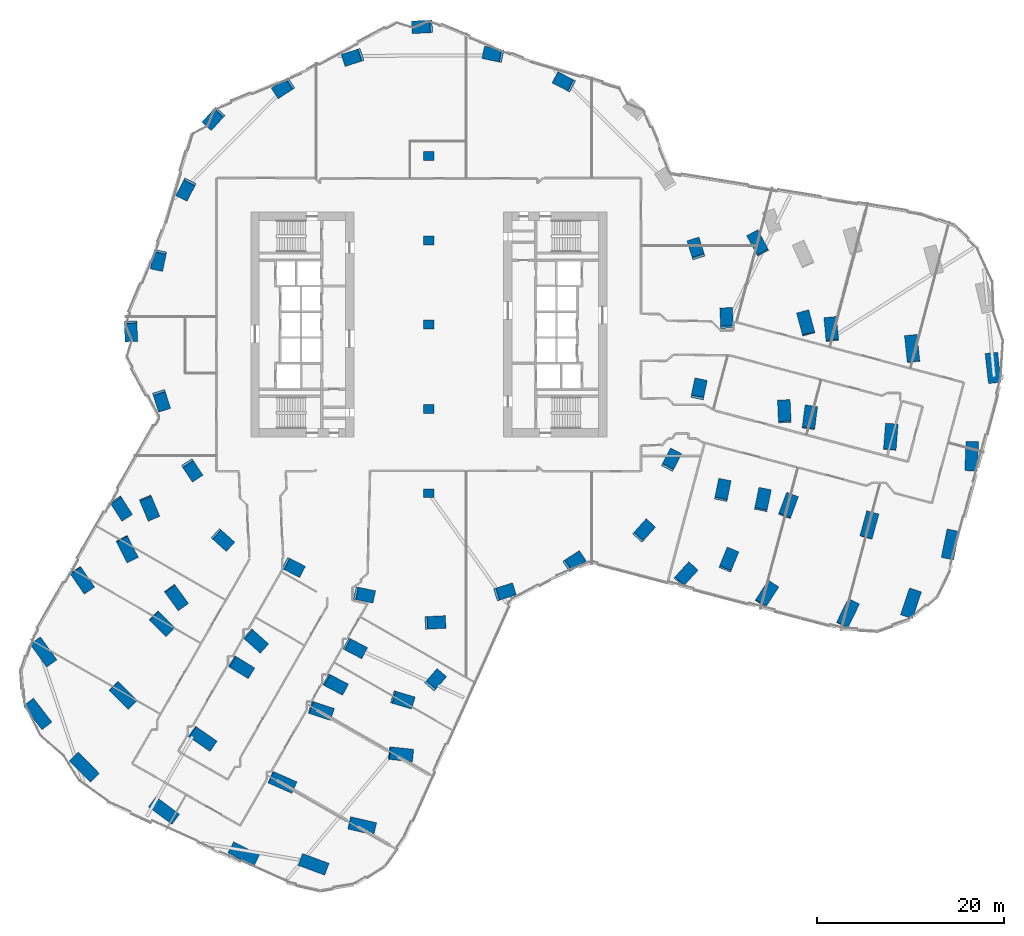
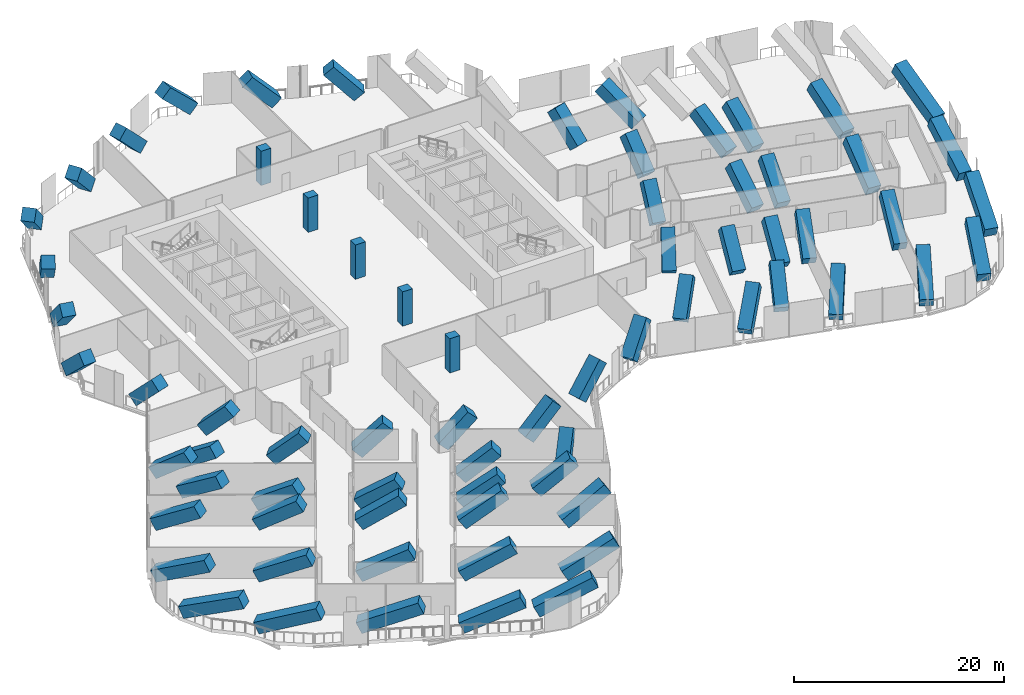
# One storey, part 1 of 37: 70 columns.
"""IFC4 building model written with IfcOpenShell, lengths in metres."""

import ifcopenshell
import ifcopenshell.guid

model = None  # the IFC model being written
_history = None  # IfcOwnerHistory: only IFC2X3 demands one
_inside = {}  # id of a spatial element -> (the spatial element, [elements in it])
_under = {}  # id of a project, library or spatial element -> (it, [spatial elements below it])
_declared = {}  # id of a project -> (the project, [libraries it declares])
_typed = {}  # id of a type object -> (the type object, [elements of that type])
_made_of = {}  # id of a material, layer set ... -> (it, [elements and type objects made of it])


def new_model(schema):
    """Start an empty IFC model of exactly this schema.

    Asked for "IFC4X3", IfcOpenShell would pick the latest addendum, in which some entities
    have other attributes; the version numbers below select the first issue.
    IFC2X3 requires an IfcOwnerHistory on every rooted entity: one is made here for all.
    """
    global model, _history
    if schema == "IFC4X3":
        model = ifcopenshell.file(schema_version=(4, 3, 0, 0))
    else:
        model = ifcopenshell.file(schema=schema)
    _inside.clear()
    _under.clear()
    _declared.clear()
    _typed.clear()
    _made_of.clear()
    _history = None
    if model.schema == "IFC2X3":
        org = make("IfcOrganization", Name="unknown")
        user = make(
            "IfcPersonAndOrganization",
            ThePerson=make("IfcPerson", FamilyName="unknown"),
            TheOrganization=org,
        )
        app = make(
            "IfcApplication",
            ApplicationDeveloper=org,
            Version="unknown",
            ApplicationFullName="unknown",
            ApplicationIdentifier="unknown",
        )
        _history = make(
            "IfcOwnerHistory",
            OwningUser=user,
            OwningApplication=app,
            ChangeAction="ADDED",
            CreationDate=0,
        )
    return model


def make(cls, **values):
    """One entity of the class cls with the attributes given. An attribute that is None is left unset."""
    return model.create_entity(
        cls, **{name: value for name, value in values.items() if value is not None}
    )


def rooted(cls, **values):
    """An entity with a GlobalId (a new one), such as an element, a storey or a relation."""
    return make(cls, GlobalId=ifcopenshell.guid.new(), OwnerHistory=_history, **values)


def si_unit(unit_type, name, prefix=None):
    """IfcSIUnit, for example si_unit("LENGTHUNIT", "METRE", prefix="MILLI")."""
    return make("IfcSIUnit", UnitType=unit_type, Prefix=prefix, Name=name)


def assignment(units):
    """IfcUnitAssignment: the units of a project."""
    return None if units is None else make("IfcUnitAssignment", Units=units)


def point(xyz):
    """IfcCartesianPoint."""
    return None if xyz is None else make("IfcCartesianPoint", Coordinates=xyz)


def direction(xyz):
    """IfcDirection."""
    return None if xyz is None else make("IfcDirection", DirectionRatios=xyz)


def frame(location, z_axis=None, x_axis=None):
    """IfcAxis2Placement3D, a coordinate frame: its origin and axes. An axis left out is left unset."""
    return make(
        "IfcAxis2Placement3D",
        Location=point(location),
        Axis=direction(z_axis),
        RefDirection=direction(x_axis),
    )


def frame_2d(location, x_axis=None):
    """IfcAxis2Placement2D, a coordinate frame in the plane: its origin and x axis."""
    return make(
        "IfcAxis2Placement2D", Location=point(location), RefDirection=direction(x_axis)
    )


def origin():
    """The frame at (0, 0, 0) with its axes left unset."""
    return frame((0.0, 0.0, 0.0))


def origin_2d():
    """The frame at (0, 0) in the plane with its x axis left unset."""
    return frame_2d((0.0, 0.0))


def place(relative_to, where):
    """IfcLocalPlacement: puts the frame where relative to a parent placement (None: the world)."""
    return make(
        "IfcLocalPlacement", PlacementRelTo=relative_to, RelativePlacement=where
    )


def context(
    kind, dimensions, precision=None, world=None, true_north=None, identifier=None
):
    """IfcGeometricRepresentationContext, for example the 3D "Model" context."""
    return make(
        "IfcGeometricRepresentationContext",
        ContextIdentifier=identifier,
        ContextType=kind,
        CoordinateSpaceDimension=dimensions,
        Precision=precision,
        WorldCoordinateSystem=world,
        TrueNorth=true_north,
    )


def subcontext(parent, identifier, kind, view, scale=None):
    """IfcGeometricRepresentationSubContext, for example "Body" below "Model"."""
    return make(
        "IfcGeometricRepresentationSubContext",
        ContextIdentifier=identifier,
        ContextType=kind,
        ParentContext=parent,
        TargetScale=scale,
        TargetView=view,
    )


def project(units=None, contexts=None):
    """IfcProject with its units and contexts."""
    return rooted(
        "IfcProject",
        Name="project",
        RepresentationContexts=contexts,
        UnitsInContext=assignment(units),
    )


def spatial(cls, under=None, at=None, **own):
    """A site, building, storey or space (cls), placed at a placement, below another one or the project."""
    s = rooted(cls, ObjectPlacement=at, **own)
    if under is not None:
        _under.setdefault(under.id(), (under, []))[1].append(s)
    return s


def profile(cls, at=None, kind="AREA", **sizes):
    """A parametric profile (cls). Its sizes go by their IFC names, for example OverallWidth=200.0."""
    return make(cls, ProfileType=kind, Position=at, **sizes)


def rectangle(**sizes):
    """IfcRectangleProfileDef."""
    return profile("IfcRectangleProfileDef", **sizes)


def extrude(swept, where, along, depth):
    """IfcExtrudedAreaSolid: the profile swept, set in the frame where, extruded along a direction by depth."""
    return make(
        "IfcExtrudedAreaSolid",
        SweptArea=swept,
        Position=where,
        ExtrudedDirection=direction(along),
        Depth=depth,
    )


def shape(context_of_items, identifier, shape_type, items):
    """IfcShapeRepresentation: the items that make up one representation, for example the "Body"."""
    return make(
        "IfcShapeRepresentation",
        ContextOfItems=context_of_items,
        RepresentationIdentifier=identifier,
        RepresentationType=shape_type,
        Items=items,
    )


def material(Name=None, Category=None):
    """IfcMaterial."""
    return make("IfcMaterial", Name=Name, Category=Category)


def material_profile(
    of_material, cross_section, Name=None, Category=None, Priority=None
):
    """IfcMaterialProfile: a cross section and its material."""
    return make(
        "IfcMaterialProfile",
        Name=Name,
        Material=of_material,
        Profile=cross_section,
        Priority=Priority,
        Category=Category,
    )


def profile_set(profiles, Name=None, composite=None):
    """IfcMaterialProfileSet."""
    return make(
        "IfcMaterialProfileSet",
        Name=Name,
        MaterialProfiles=profiles,
        CompositeProfile=composite,
    )


def made_of(thing, what):
    """Note that an element or type object is made of a material, layer set ...; save() writes the relation."""
    if what is not None:
        _made_of.setdefault(what.id(), (what, []))[1].append(thing)
    return thing


def type_object(cls, material=None, **own):
    """A type object (cls), such as IfcWallType, which elements share."""
    return made_of(rooted(cls, **own), material)


def element(
    cls,
    number,
    at=None,
    inside=None,
    cuts=None,
    type_object=None,
    material=None,
    context=None,
    identifier="Body",
    shape_type=None,
    held_by="IfcProductDefinitionShape",
    body=None,
    shapes=None,
    **own,
):
    """One element of the class cls, such as IfcWall. Its Tag is "e" and its number.

    at: its placement. inside: the storey or other place that contains it. cuts: it is an
    opening in that element (IfcRelVoidsElement). A single representation is given by context,
    identifier, shape_type and body (its items); several are given by shapes. held_by: the class
    of the entity that holds the representations. save() writes the other relations.
    """
    e = rooted(cls, Tag="e%d" % number, ObjectPlacement=at, **own)
    if body is not None:
        shapes = [shape(context, identifier, shape_type, body)]
    if shapes is not None:
        e.Representation = make(held_by, Representations=shapes)
    if inside is not None:
        _inside.setdefault(inside.id(), (inside, []))[1].append(e)
    if cuts is not None:
        rooted(
            "IfcRelVoidsElement", RelatingBuildingElement=cuts, RelatedOpeningElement=e
        )
    if type_object is not None:
        _typed.setdefault(type_object.id(), (type_object, []))[1].append(e)
    return made_of(e, material)


def aggregate(whole, parts):
    """IfcRelAggregates: a whole, such as a stair, and the parts it consists of."""
    return rooted("IfcRelAggregates", RelatingObject=whole, RelatedObjects=parts)


def save(model, path):
    """Write the relations noted so far, then the file.

    IfcRelAggregates (storeys below a building ...), IfcRelContainedInSpatialStructure (elements
    in a storey), IfcRelDefinesByType, IfcRelAssociatesMaterial and IfcRelDeclares: one each for
    every whole, place, type object, material and project.
    """
    for whole, parts in _under.values():
        aggregate(whole, parts)
    for where, things in _inside.values():
        rooted(
            "IfcRelContainedInSpatialStructure",
            RelatedElements=things,
            RelatingStructure=where,
        )
    for kind, things in _typed.values():
        rooted("IfcRelDefinesByType", RelatedObjects=things, RelatingType=kind)
    for what, things in _made_of.values():
        rooted("IfcRelAssociatesMaterial", RelatedObjects=things, RelatingMaterial=what)
    for by, libraries in _declared.values():
        rooted("IfcRelDeclares", RelatingContext=by, RelatedDefinitions=libraries)
    model.write(path)


model = new_model("IFC4")

# Units and contexts
model_context = context("Model", 3, precision=1e-05, world=origin(), true_north=direction((0.0, 1.0)))
body_context = subcontext(model_context, "Body", "Model", "MODEL_VIEW")
ifc_project = project(units=[si_unit("LENGTHUNIT", "METRE"), si_unit("AREAUNIT", "SQUARE_METRE"), si_unit("VOLUMEUNIT", "CUBIC_METRE"), si_unit("PLANEANGLEUNIT", "RADIAN"), si_unit("MASSUNIT", "GRAM", prefix="KILO")], contexts=[model_context])

# Site, building, storey
site_placement = place(None, origin())
site = spatial("IfcSite", under=ifc_project, at=site_placement, CompositionType="ELEMENT")
building_placement = place(site_placement, origin())
building = spatial("IfcBuilding", under=site, at=building_placement, Name="Orlundy Tower", CompositionType="ELEMENT")
storey_placement = place(building_placement, frame((0.0, 0.0, 119.699951171875)))
storey = spatial("IfcBuildingStorey", under=building, at=storey_placement, Name="L30", CompositionType="ELEMENT", Elevation=119.699951171875)

# Columns
ifc_material_1 = material(Name="Concrete C80/95", Category="concrete")
ifc_material_profile_1 = material_profile(ifc_material_1, rectangle(XDim=1.10009765625, YDim=0.949951171875, at=origin_2d()), Name="RC1100X950")
ifc_profile_set_1 = profile_set([ifc_material_profile_1], Name="Concrete C80/95")
column_type_1 = type_object("IfcColumnType", Name="RC COLUMN RC1100X950 C80/95", PredefinedType="COLUMN", material=ifc_profile_set_1)
for number, where, z_axis, x_axis, name in (
    (1, (0.0, -18.0, 0.0), (0.0, 0.0, 1.0), (1.0, 0.0, 0.0), "Column C-M1 L30"),
    (2, (0.0, -9.0, 0.0), (0.0, 0.0, 1.0), (1.0, 0.0, 0.0), "Column C-M2 L30"),
    (3, (0.0, 0.0, 0.0), (0.0, 0.0, 1.0), (1.0, 0.0, 0.0), "Column C-M3 L30"),
    (4, (0.0, 9.0, 0.0), (0.0, 0.0, 1.0), (1.0, 0.0, 0.0), "Column C-M4 L30"),
    (5, (0.0, 18.0, 0.0), (0.0, 0.0, 1.0), (1.0, 0.0, 0.0), "Column C-M5 L30"),
):
    element("IfcColumn", number, at=place(storey_placement, frame(where, z_axis=z_axis, x_axis=x_axis)), inside=storey, type_object=column_type_1, Name=name, PredefinedType="COLUMN", context=body_context, shape_type="SweptSolid", body=[
        extrude(rectangle(XDim=1.10009765625, YDim=0.949951171875, at=origin_2d()), origin(), (0.0, 0.0, 1.0), 4.0),
    ])
ifc_material_2 = material(Name="Concrete C80/95", Category="concrete")
ifc_material_profile_2 = material_profile(ifc_material_2, rectangle(XDim=1.35009765625, YDim=1.35009765625, at=origin_2d()), Name="RC1350X1350")
ifc_profile_set_2 = profile_set([ifc_material_profile_2], Name="Concrete C80/95")
column_type_2 = type_object("IfcColumnType", Name="RC COLUMN RC1350X1350 C80/95", PredefinedType="COLUMN", material=ifc_profile_set_2)
column_1_placement = place(storey_placement, frame((26.93408203125, -27.201904296875, 0.533447265625), z_axis=(0.533389756548, 0.583307409895, 0.61257475721), x_axis=(-0.737978327444, 0.674824412884, 0.0)))
element("IfcColumn", 6, at=column_1_placement, inside=storey, type_object=column_type_2, Name="Column C-A1-1 L30 strut", PredefinedType="COLUMN", context=body_context, shape_type="SweptSolid", body=[
    extrude(rectangle(XDim=1.35009765625, YDim=1.35009765625, at=origin_2d()), origin(), (0.0, 0.0, 1.0), 4.7880859375),
])
column_2_placement = place(storey_placement, frame((35.60205078125, -29.4970703125, 0.566650390625), z_axis=(0.456860510692, 0.704019870789, 0.543722811094), x_axis=(-0.838853030325, 0.5443579645, 0.0)))
element("IfcColumn", 7, at=column_2_placement, inside=storey, type_object=column_type_2, Name="Column C-A1-2 L30 strut", PredefinedType="COLUMN", context=body_context, shape_type="SweptSolid", body=[
    extrude(rectangle(XDim=1.35009765625, YDim=1.35009765625, at=origin_2d()), origin(), (0.0, 0.0, 1.0), 5.272705078125),
])
column_3_placement = place(storey_placement, frame((44.26904296875, -31.79296875, 0.592529296875), z_axis=(0.385435051293, 0.788769306025, 0.47883483907), x_axis=(-0.898467718032, 0.439039587798, 0.0)))
element("IfcColumn", 8, at=column_3_placement, inside=storey, type_object=column_type_2, Name="Column C-A1-3 L30 strut", PredefinedType="COLUMN", context=body_context, shape_type="SweptSolid", body=[
    extrude(rectangle(XDim=1.35009765625, YDim=1.35009765625, at=origin_2d()), origin(), (0.0, 0.0, 1.0), 5.878662109375),
])
column_4_placement = place(storey_placement, frame((51.0849609375, -30.90087890625, 0.60546875), z_axis=(0.287773476059, 0.849338432906, 0.442504974962), x_axis=(-0.94711260935, 0.320901394841, 0.0)))
element("IfcColumn", 9, at=column_4_placement, inside=storey, type_object=column_type_2, Name="Column C-A1-5 L30 strut", PredefinedType="COLUMN", context=body_context, shape_type="SweptSolid", body=[
    extrude(rectangle(XDim=1.35009765625, YDim=1.35009765625, at=origin_2d()), origin(), (0.0, 0.0, 1.0), 6.303466796875),
])
column_5_placement = place(storey_placement, frame((31.7509765625, -25.781005859375, 0.528076171875), z_axis=(0.296903854869, 0.723687001742, 0.622996969875), x_axis=(-0.925165644997, 0.379563603783, 0.0)))
element("IfcColumn", 10, at=column_5_placement, inside=storey, type_object=column_type_2, Name="Column C-A1-6 L30 strut", PredefinedType="COLUMN", context=body_context, shape_type="SweptSolid", body=[
    extrude(rectangle(XDim=1.35009765625, YDim=1.35009765625, at=origin_2d()), origin(), (0.0, 0.0, 1.0), 4.7255859375),
])
column_6_placement = place(storey_placement, frame((38.0849609375, -20.12109375, 0.55517578125), z_axis=(0.289489509288, 0.769921974579, 0.568696735591), x_axis=(-0.936021546836, 0.351942699681, 0.0)))
element("IfcColumn", 11, at=column_6_placement, inside=storey, type_object=column_type_2, Name="Column C-A2-2 L30 strut", PredefinedType="COLUMN", context=body_context, shape_type="SweptSolid", body=[
    extrude(rectangle(XDim=1.35009765625, YDim=1.35009765625, at=origin_2d()), origin(), (0.0, 0.0, 1.0), 5.0810546875),
])
column_7_placement = place(storey_placement, frame((46.7529296875, -22.416015625, 0.588134765625), z_axis=(0.230570287465, 0.840104405285, 0.490980580837), x_axis=(-0.964339803907, 0.264667229933, 0.0)))
element("IfcColumn", 12, at=column_7_placement, inside=storey, type_object=column_type_2, Name="Column C-A2-3 L30 strut", PredefinedType="COLUMN", context=body_context, shape_type="SweptSolid", body=[
    extrude(rectangle(XDim=1.35009765625, YDim=1.35009765625, at=origin_2d()), origin(), (0.0, 0.0, 1.0), 5.751708984375),
])
column_8_placement = place(storey_placement, frame((55.4208984375, -24.7119140625, 0.610107421875), z_axis=(0.181928790366, 0.885371750556, 0.42780694075), x_axis=(-0.979534245021, 0.201277576574, 0.0)))
element("IfcColumn", 13, at=column_8_placement, inside=storey, type_object=column_type_2, Name="Column C-A2-5 L30 strut", PredefinedType="COLUMN", context=body_context, shape_type="SweptSolid", body=[
    extrude(rectangle(XDim=1.35009765625, YDim=1.35009765625, at=origin_2d()), origin(), (0.0, 0.0, 1.0), 6.497802734375),
])
column_9_placement = place(storey_placement, frame((35.507080078125, -19.43798828125, 0.53662109375), z_axis=(0.157315651757, 0.779291847126, 0.606593770752), x_axis=(-0.98022658552, 0.197878349093, 0.0)))
element("IfcColumn", 14, at=column_9_placement, inside=storey, type_object=column_type_2, Name="Column C-A2-6 L30 strut", PredefinedType="COLUMN", context=body_context, shape_type="SweptSolid", body=[
    extrude(rectangle(XDim=1.35009765625, YDim=1.35009765625, at=origin_2d()), origin(), (0.0, 0.0, 1.0), 4.824951171875),
])
column_10_placement = place(storey_placement, frame((31.25390625, -18.31103515625, 0.50732421875), z_axis=(0.147670935204, 0.73679002234, 0.659798270592), x_axis=(-0.980500509342, 0.196516541745, 0.0)))
element("IfcColumn", 15, at=column_10_placement, inside=storey, type_object=column_type_2, Name="Column C-A2-7 L30 strut", PredefinedType="COLUMN", context=body_context, shape_type="SweptSolid", body=[
    extrude(rectangle(XDim=1.35009765625, YDim=1.35009765625, at=origin_2d()), origin(), (0.0, 0.0, 1.0), 4.52490234375),
])
column_11_placement = place(storey_placement, frame((40.568115234375, -10.743896484375, 0.5537109375), z_axis=(0.105609699253, 0.813296092737, 0.572185334452), x_axis=(-0.991674124322, 0.128772788855, 0.0)))
element("IfcColumn", 16, at=column_11_placement, inside=storey, type_object=column_type_2, Name="Column C-A3-2 L30 strut", PredefinedType="COLUMN", context=body_context, shape_type="SweptSolid", body=[
    extrude(rectangle(XDim=1.35009765625, YDim=1.35009765625, at=origin_2d()), origin(), (0.0, 0.0, 1.0), 5.0556640625),
])
column_12_placement = place(storey_placement, frame((49.236083984375, -13.0390625, 0.589111328125), z_axis=(0.067270096291, 0.870203938653, 0.488077698013), x_axis=(-0.997025384371, 0.077073879619, 0.0)))
element("IfcColumn", 17, at=column_12_placement, inside=storey, type_object=column_type_2, Name="Column C-A3-3 L30 strut", PredefinedType="COLUMN", context=body_context, shape_type="SweptSolid", body=[
    extrude(rectangle(XDim=1.35009765625, YDim=1.35009765625, at=origin_2d()), origin(), (0.0, 0.0, 1.0), 5.781494140625),
])
column_13_placement = place(storey_placement, frame((57.904052734375, -15.3349609375, 0.61181640625), z_axis=(0.037110733148, 0.905628191614, 0.422445703066), x_axis=(-0.999161462132, 0.040943529294, 0.0)))
element("IfcColumn", 18, at=column_13_placement, inside=storey, type_object=column_type_2, Name="Column C-A3-5 L30 strut", PredefinedType="COLUMN", context=body_context, shape_type="SweptSolid", body=[
    extrude(rectangle(XDim=1.35009765625, YDim=1.35009765625, at=origin_2d()), origin(), (0.0, 0.0, 1.0), 6.572021484375),
])
column_14_placement = place(storey_placement, frame((37.989990234375, -10.06103515625, 0.5439453125), z_axis=(-0.03638253133, 0.805081389044, 0.592047522103), x_axis=(-0.998980442611, -0.045145047129, 0.0)))
element("IfcColumn", 19, at=column_14_placement, inside=storey, type_object=column_type_2, Name="Column C-A3-6 L30 strut", PredefinedType="COLUMN", context=body_context, shape_type="SweptSolid", body=[
    extrude(rectangle(XDim=1.35009765625, YDim=1.35009765625, at=origin_2d()), origin(), (0.0, 0.0, 1.0), 4.918701171875),
])
column_15_placement = place(storey_placement, frame((43.051025390625, -1.366943359375, 0.562255859375), z_axis=(-0.077735925717, 0.829402402608, 0.553216757159), x_axis=(-0.995636518253, -0.093316255392, 0.0)))
element("IfcColumn", 20, at=column_15_placement, inside=storey, type_object=column_type_2, Name="Column C-A4-2 L30 strut", PredefinedType="COLUMN", context=body_context, shape_type="SweptSolid", body=[
    extrude(rectangle(XDim=1.35009765625, YDim=1.35009765625, at=origin_2d()), origin(), (0.0, 0.0, 1.0), 5.19775390625),
])
column_16_placement = place(storey_placement, frame((51.718994140625, -3.6630859375, 0.595458984375), z_axis=(-0.092079198253, 0.877270333915, 0.471081927569), x_axis=(-0.994536691035, -0.104387595937, 0.0)))
element("IfcColumn", 21, at=column_16_placement, inside=storey, type_object=column_type_2, Name="Column C-A4-3 L30 strut", PredefinedType="COLUMN", context=body_context, shape_type="SweptSolid", body=[
    extrude(rectangle(XDim=1.35009765625, YDim=1.35009765625, at=origin_2d()), origin(), (0.0, 0.0, 1.0), 5.963134765625),
])
column_17_placement = place(storey_placement, frame((60.386962890625, -5.9580078125, 0.6162109375), z_axis=(-0.102327587164, 0.907158183888, 0.408158173152), x_axis=(-0.993698136822, -0.112089307595, 0.0)))
element("IfcColumn", 22, at=column_17_placement, inside=storey, type_object=column_type_2, Name="Column C-A4-5 L30 strut", PredefinedType="COLUMN", context=body_context, shape_type="SweptSolid", body=[
    extrude(rectangle(XDim=1.35009765625, YDim=1.35009765625, at=origin_2d()), origin(), (0.0, 0.0, 1.0), 6.78076171875),
])
column_18_placement = place(storey_placement, frame((40.47412109375, -0.68408203125, 0.561279296875), z_axis=(-0.215870876731, 0.802964248031, 0.555561140617), x_axis=(-0.965709833763, -0.259623798934, 0.0)))
element("IfcColumn", 23, at=column_18_placement, inside=storey, type_object=column_type_2, Name="Column C-A4-6 L30 strut", PredefinedType="COLUMN", context=body_context, shape_type="SweptSolid", body=[
    extrude(rectangle(XDim=1.35009765625, YDim=1.35009765625, at=origin_2d()), origin(), (0.0, 0.0, 1.0), 5.1796875),
])
column_19_placement = place(storey_placement, frame((35.51611328125, 7.966064453125, 0.55224609375), z_axis=(-0.386797205622, 0.720728084708, 0.575272934907), x_axis=(-0.881127126302, -0.472879463813, 0.0)))
element("IfcColumn", 24, at=column_19_placement, inside=storey, type_object=column_type_2, Name="Column C-A5-7 L30 strut", PredefinedType="COLUMN", context=body_context, shape_type="SweptSolid", body=[
    extrude(rectangle(XDim=1.35009765625, YDim=1.35009765625, at=origin_2d()), origin(), (0.0, 0.0, 1.0), 5.03369140625),
])
column_20_placement = place(storey_placement, frame((-33.24609375, -18.97607421875, 0.533447265625), z_axis=(0.42526001455, -0.666240689462, 0.612598778754), x_axis=(0.842922209578, 0.538035452922, 0.0)))
element("IfcColumn", 25, at=column_20_placement, inside=storey, type_object=column_type_2, Name="Column C-B1-1 L30 strut", PredefinedType="COLUMN", context=body_context, shape_type="SweptSolid", body=[
    extrude(rectangle(XDim=1.35009765625, YDim=1.35009765625, at=origin_2d()), origin(), (0.0, 0.0, 1.0), 4.7880859375),
])
column_21_placement = place(storey_placement, frame((-37.541015625, -26.465087890625, 0.57763671875), z_axis=(0.483790970838, -0.7058596854, 0.517405451326), x_axis=(0.824852608837, 0.565347834253, 0.0)))
element("IfcColumn", 26, at=column_21_placement, inside=storey, type_object=column_type_2, Name="Column C-B1-2 L30 strut", PredefinedType="COLUMN", context=body_context, shape_type="SweptSolid", body=[
    extrude(rectangle(XDim=1.35009765625, YDim=1.35009765625, at=origin_2d()), origin(), (0.0, 0.0, 1.0), 5.498046875),
])
column_22_placement = place(storey_placement, frame((-41.83203125, -33.9560546875, 0.604736328125), z_axis=(0.522399558772, -0.727798715596, 0.44430589752), x_axis=(0.812388559252, 0.583116479613, 0.0)))
element("IfcColumn", 27, at=column_22_placement, inside=storey, type_object=column_type_2, Name="Column C-B1-3 L30 strut", PredefinedType="COLUMN", context=body_context, shape_type="SweptSolid", body=[
    extrude(rectangle(XDim=1.35009765625, YDim=1.35009765625, at=origin_2d()), origin(), (0.0, 0.0, 1.0), 6.28076171875),
])
column_23_placement = place(storey_placement, frame((-42.572021484375, -40.47900390625, 0.61669921875), z_axis=(0.558056931018, -0.723205019199, 0.406874626816), x_axis=(0.791699702042, 0.610910453165, 0.0)))
element("IfcColumn", 28, at=column_23_placement, inside=storey, type_object=column_type_2, Name="Column C-B1-5 L30 strut", PredefinedType="COLUMN", context=body_context, shape_type="SweptSolid", body=[
    extrude(rectangle(XDim=1.35009765625, YDim=1.35009765625, at=origin_2d()), origin(), (0.0, 0.0, 1.0), 6.80029296875),
])
column_24_placement = place(storey_placement, frame((-32.623046875, -23.12890625, 0.570068359375), z_axis=(0.38108787128, -0.753393018843, 0.535883376791), x_axis=(0.892337017902, 0.451369744757, 0.0)))
element("IfcColumn", 29, at=column_24_placement, inside=storey, type_object=column_type_2, Name="Column C-B1-6 L30 strut", PredefinedType="COLUMN", context=body_context, shape_type="SweptSolid", body=[
    extrude(rectangle(XDim=1.35009765625, YDim=1.35009765625, at=origin_2d()), origin(), (0.0, 0.0, 1.0), 5.337158203125),
])
column_25_placement = place(storey_placement, frame((-30.135009765625, -18.7919921875, 0.55224609375), z_axis=(0.316509269945, -0.754189445075, 0.575343517367), x_axis=(0.922091324428, 0.386972336757, 0.0)))
element("IfcColumn", 30, at=column_25_placement, inside=storey, type_object=column_type_2, Name="Column C-B1-7 L30 strut", PredefinedType="COLUMN", context=body_context, shape_type="SweptSolid", body=[
    extrude(rectangle(XDim=1.35009765625, YDim=1.35009765625, at=origin_2d()), origin(), (0.0, 0.0, 1.0), 5.033203125),
])
column_26_placement = place(storey_placement, frame((-29.1259765625, -31.2900390625, 0.562255859375), z_axis=(0.59544523528, -0.58257531381, 0.553218741116), x_axis=(0.699339877275, 0.714789294865, 0.0)))
element("IfcColumn", 31, at=column_26_placement, inside=storey, type_object=column_type_2, Name="Column C-B2-2 L30 strut", PredefinedType="COLUMN", context=body_context, shape_type="SweptSolid", body=[
    extrude(rectangle(XDim=1.35009765625, YDim=1.35009765625, at=origin_2d()), origin(), (0.0, 0.0, 1.0), 5.19775390625),
])
column_27_placement = place(storey_placement, frame((-33.4208984375, -38.780029296875, 0.595458984375), z_axis=(0.623782368225, -0.623618570583, 0.471163915761), x_axis=(0.707013924092, 0.707199626088, 0.0)))
element("IfcColumn", 32, at=column_27_placement, inside=storey, type_object=column_type_2, Name="Column C-B2-3 L30 strut", PredefinedType="COLUMN", context=body_context, shape_type="SweptSolid", body=[
    extrude(rectangle(XDim=1.35009765625, YDim=1.35009765625, at=origin_2d()), origin(), (0.0, 0.0, 1.0), 5.9619140625),
])
column_28_placement = place(storey_placement, frame((-37.716064453125, -46.26904296875, 0.6162109375), z_axis=(0.640646488599, -0.650367983115, 0.408158747528), x_axis=(0.712411182905, 0.701762286299, 0.0)))
element("IfcColumn", 33, at=column_28_placement, inside=storey, type_object=column_type_2, Name="Column C-B2-5 L30 strut", PredefinedType="COLUMN", context=body_context, shape_type="SweptSolid", body=[
    extrude(rectangle(XDim=1.35009765625, YDim=1.35009765625, at=origin_2d()), origin(), (0.0, 0.0, 1.0), 6.78076171875),
])
column_29_placement = place(storey_placement, frame((-27.468017578125, -28.39892578125, 0.561279296875), z_axis=(0.488269073322, -0.673037368275, 0.555530388857), x_axis=(0.809429244298, 0.587217420105, 0.0)))
element("IfcColumn", 34, at=column_29_placement, inside=storey, type_object=column_type_2, Name="Column C-B2-6 L30 strut", PredefinedType="COLUMN", context=body_context, shape_type="SweptSolid", body=[
    extrude(rectangle(XDim=1.35009765625, YDim=1.35009765625, at=origin_2d()), origin(), (0.0, 0.0, 1.0), 5.1796875),
])
column_30_placement = place(storey_placement, frame((-20.7119140625, -36.115966796875, 0.5537109375), z_axis=(0.698438997856, -0.429842046596, 0.572205191564), x_axis=(0.524126993738, 0.851640120259, 0.0)))
element("IfcColumn", 35, at=column_30_placement, inside=storey, type_object=column_type_2, Name="Column C-B3-2 L30 strut", PredefinedType="COLUMN", context=body_context, shape_type="SweptSolid", body=[
    extrude(rectangle(XDim=1.35009765625, YDim=1.35009765625, at=origin_2d()), origin(), (0.0, 0.0, 1.0), 5.0556640625),
])
column_31_placement = place(storey_placement, frame((-25.007080078125, -43.60498046875, 0.58935546875), z_axis=(0.718653578755, -0.495359605874, 0.488012186948), x_axis=(0.567528313926, 0.823353880718, 0.0)))
element("IfcColumn", 36, at=column_31_placement, inside=storey, type_object=column_type_2, Name="Column C-B3-3 L30 strut", PredefinedType="COLUMN", context=body_context, shape_type="SweptSolid", body=[
    extrude(rectangle(XDim=1.35009765625, YDim=1.35009765625, at=origin_2d()), origin(), (0.0, 0.0, 1.0), 5.78173828125),
])
column_32_placement = place(storey_placement, frame((-29.301025390625, -51.093994140625, 0.61181640625), z_axis=(0.727106660738, -0.54112250338, 0.422495373047), x_axis=(0.597024879734, 0.802222720308, 0.0)))
element("IfcColumn", 37, at=column_32_placement, inside=storey, type_object=column_type_2, Name="Column C-B3-5 L30 strut", PredefinedType="COLUMN", context=body_context, shape_type="SweptSolid", body=[
    extrude(rectangle(XDim=1.35009765625, YDim=1.35009765625, at=origin_2d()), origin(), (0.0, 0.0, 1.0), 6.5712890625),
])
column_33_placement = place(storey_placement, frame((-19.052978515625, -33.22412109375, 0.5439453125), z_axis=(0.602598141129, -0.535091265352, 0.592075010494), x_axis=(0.663981445411, 0.747749048913, 0.0)))
element("IfcColumn", 38, at=column_33_placement, inside=storey, type_object=column_type_2, Name="Column C-B3-6 L30 strut", PredefinedType="COLUMN", context=body_context, shape_type="SweptSolid", body=[
    extrude(rectangle(XDim=1.35009765625, YDim=1.35009765625, at=origin_2d()), origin(), (0.0, 0.0, 1.0), 4.91845703125),
])
column_34_placement = place(storey_placement, frame((-12.297119140625, -40.94091796875, 0.55517578125), z_axis=(0.780519662206, -0.259596659581, 0.568681484879), x_axis=(0.315596852865, 0.948893369385, 0.0)))
element("IfcColumn", 39, at=column_34_placement, inside=storey, type_object=column_type_2, Name="Column C-B4-2 L30 strut", PredefinedType="COLUMN", context=body_context, shape_type="SweptSolid", body=[
    extrude(rectangle(XDim=1.35009765625, YDim=1.35009765625, at=origin_2d()), origin(), (0.0, 0.0, 1.0), 5.081298828125),
])
column_35_placement = place(storey_placement, frame((-16.592041015625, -48.430908203125, 0.588134765625), z_axis=(0.798018191469, -0.349453953001, 0.490967311352), x_axis=(0.401128075959, 0.916021979364, 0.0)))
element("IfcColumn", 40, at=column_35_placement, inside=storey, type_object=column_type_2, Name="Column C-B4-3 L30 strut", PredefinedType="COLUMN", context=body_context, shape_type="SweptSolid", body=[
    extrude(rectangle(XDim=1.35009765625, YDim=1.35009765625, at=origin_2d()), origin(), (0.0, 0.0, 1.0), 5.751953125),
])
column_36_placement = place(storey_placement, frame((-20.886962890625, -55.919921875, 0.610107421875), z_axis=(0.802532917271, -0.415771876601, 0.427872251173), x_axis=(0.460006455938, 0.88791557059, 0.0)))
element("IfcColumn", 41, at=column_36_placement, inside=storey, type_object=column_type_2, Name="Column C-B4-5 L30 strut", PredefinedType="COLUMN", context=body_context, shape_type="SweptSolid", body=[
    extrude(rectangle(XDim=1.35009765625, YDim=1.35009765625, at=origin_2d()), origin(), (0.0, 0.0, 1.0), 6.496826171875),
])
column_37_placement = place(storey_placement, frame((-10.638916015625, -38.050048828125, 0.536865234375), z_axis=(0.704636789629, -0.368256969332, 0.606526008709), x_axis=(0.463179232644, 0.886264632289, 0.0)))
element("IfcColumn", 42, at=column_37_placement, inside=storey, type_object=column_type_2, Name="Column C-B4-6 L30 strut", PredefinedType="COLUMN", context=body_context, shape_type="SweptSolid", body=[
    extrude(rectangle(XDim=1.35009765625, YDim=1.35009765625, at=origin_2d()), origin(), (0.0, 0.0, 1.0), 4.824951171875),
])
column_38_placement = place(storey_placement, frame((-8.449951171875, -34.23291015625, 0.50732421875), z_axis=(0.665591708259, -0.348954135448, 0.659711064975), x_axis=(0.464331547089, 0.88566145585, 0.0)))
element("IfcColumn", 43, at=column_38_placement, inside=storey, type_object=column_type_2, Name="Column C-B4-7 L30 strut", PredefinedType="COLUMN", context=body_context, shape_type="SweptSolid", body=[
    extrude(rectangle(XDim=1.35009765625, YDim=1.35009765625, at=origin_2d()), origin(), (0.0, 0.0, 1.0), 4.525146484375),
])
column_39_placement = place(storey_placement, frame((0.412109375, -38.278076171875, 0.42724609375), z_axis=(0.415654090465, 0.477479482065, 0.774109179178), x_axis=(-0.754249881961, 0.656587477464, 0.0)))
element("IfcColumn", 44, at=column_39_placement, inside=storey, type_object=column_type_2, Name="Column C-B5-1 L30 strut", PredefinedType="COLUMN", context=body_context, shape_type="SweptSolid", body=[
    extrude(rectangle(XDim=1.35009765625, YDim=1.35009765625, at=origin_2d()), origin(), (0.0, 0.0, 1.0), 4.0634765625),
])
column_40_placement = place(storey_placement, frame((-3.883056640625, -45.76708984375, 0.566650390625), z_axis=(0.834710366694, -0.087956835268, 0.543619535028), x_axis=(0.10479388437, 0.994493962676, 0.0)))
element("IfcColumn", 45, at=column_40_placement, inside=storey, type_object=column_type_2, Name="Column C-B5-2 L30 strut", PredefinedType="COLUMN", context=body_context, shape_type="SweptSolid", body=[
    extrude(rectangle(XDim=1.35009765625, YDim=1.35009765625, at=origin_2d()), origin(), (0.0, 0.0, 1.0), 5.27392578125),
])
column_41_placement = place(storey_placement, frame((-8.180908203125, -53.25390625, 0.592529296875), z_axis=(0.855488939096, -0.197030756727, 0.478871126701), x_axis=(0.224437949538, 0.974488382079, 0.0)))
element("IfcColumn", 46, at=column_41_placement, inside=storey, type_object=column_type_2, Name="Column C-B5-3 L30 strut", PredefinedType="COLUMN", context=body_context, shape_type="SweptSolid", body=[
    extrude(rectangle(XDim=1.35009765625, YDim=1.35009765625, at=origin_2d()), origin(), (0.0, 0.0, 1.0), 5.878173828125),
])
column_42_placement = place(storey_placement, frame((-13.43701171875, -57.18701171875, 0.60546875), z_axis=(0.841178426965, -0.310896386523, 0.442450325863), x_axis=(0.346675745492, 0.937985035855, 0.0)))
element("IfcColumn", 47, at=column_42_placement, inside=storey, type_object=column_type_2, Name="Column C-B5-5 L30 strut", PredefinedType="COLUMN", context=body_context, shape_type="SweptSolid", body=[
    extrude(rectangle(XDim=1.35009765625, YDim=1.35009765625, at=origin_2d()), origin(), (0.0, 0.0, 1.0), 6.30419921875),
])
column_43_placement = place(storey_placement, frame((-3.487060546875, -39.837890625, 0.528076171875), z_axis=(0.749275116966, -0.224720543216, 0.62296667371), x_axis=(0.287275179853, 0.957848093928, 0.0)))
element("IfcColumn", 48, at=column_43_placement, inside=storey, type_object=column_type_2, Name="Column C-B5-6 L30 strut", PredefinedType="COLUMN", context=body_context, shape_type="SweptSolid", body=[
    extrude(rectangle(XDim=1.35009765625, YDim=1.35009765625, at=origin_2d()), origin(), (0.0, 0.0, 1.0), 4.725830078125),
])
column_44_placement = place(storey_placement, frame((28.694091796875, 7.583984375, 0.466552734375), z_axis=(-0.20971851237, 0.658720900621, 0.722568280964), x_axis=(-0.95287331329, -0.303368503341, 0.0)))
element("IfcColumn", 49, at=column_44_placement, inside=storey, type_object=column_type_2, Name="Column C-H03 L30 strut", PredefinedType="COLUMN", context=body_context, shape_type="SweptSolid", body=[
    extrude(rectangle(XDim=1.35009765625, YDim=1.35009765625, at=origin_2d()), origin(), (0.0, 0.0, 1.0), 4.244384765625),
])
column_45_placement = place(storey_placement, frame((31.822021484375, 0.093017578125, 0.486328125), z_axis=(-0.037582399141, 0.719490424028, 0.693484746052), x_axis=(-0.998638551055, -0.052163630494, 0.0)))
element("IfcColumn", 50, at=column_45_placement, inside=storey, type_object=column_type_2, Name="Column C-H04 L30 strut", PredefinedType="COLUMN", context=body_context, shape_type="SweptSolid", body=[
    extrude(rectangle(XDim=1.35009765625, YDim=1.35009765625, at=origin_2d()), origin(), (0.0, 0.0, 1.0), 4.365478515625),
])
for number, where, z_axis, x_axis, name in (
    (51, (28.737060546875, -7.4169921875, 0.466796875), (0.139487809436, 0.677134223786, 0.722518092505), (-0.979434804507, 0.201760907316, 0.0), "Column C-H05 L30 strut"),
    (52, (25.652099609375, -14.927001953125, 0.466796875), (0.317802494758, 0.613977163628, 0.722518938761), (-0.888082969934, 0.459683193638, 0.0), "Column C-H06 L30 strut"),
):
    element("IfcColumn", number, at=place(storey_placement, frame(where, z_axis=z_axis, x_axis=x_axis)), inside=storey, type_object=column_type_2, Name=name, PredefinedType="COLUMN", context=body_context, shape_type="SweptSolid", body=[
        extrude(rectangle(XDim=1.35009765625, YDim=1.35009765625, at=origin_2d()), origin(), (0.0, 0.0, 1.0), 4.244384765625),
    ])
column_46_placement = place(storey_placement, frame((22.56689453125, -22.43603515625, 0.486328125), z_axis=(0.48216463464, 0.535508605584, 0.693359790043), x_axis=(-0.743151367049, 0.669123341136, 0.0)))
element("IfcColumn", 53, at=column_46_placement, inside=storey, type_object=column_type_2, Name="Column C-H07 L30 strut", PredefinedType="COLUMN", context=body_context, shape_type="SweptSolid", body=[
    extrude(rectangle(XDim=1.35009765625, YDim=1.35009765625, at=origin_2d()), origin(), (0.0, 0.0, 1.0), 4.3662109375),
])
column_47_placement = place(storey_placement, frame((15.075927734375, -25.56494140625, 0.466552734375), z_axis=(0.57724832469, 0.380287859943, 0.722610209742), x_axis=(-0.550140625577, 0.835072028085, 0.0)))
element("IfcColumn", 54, at=column_47_placement, inside=storey, type_object=column_type_2, Name="Column C-H08 L30 strut", PredefinedType="COLUMN", context=body_context, shape_type="SweptSolid", body=[
    extrude(rectangle(XDim=1.35009765625, YDim=1.35009765625, at=origin_2d()), origin(), (0.0, 0.0, 1.0), 4.244140625),
])
column_48_placement = place(storey_placement, frame((7.583984375, -28.694091796875, 0.466552734375), z_axis=(0.658720900621, 0.20971851237, 0.722568280964), x_axis=(-0.303368503341, 0.95287331329, 0.0)))
element("IfcColumn", 55, at=column_48_placement, inside=storey, type_object=column_type_2, Name="Column C-H09 L30 strut", PredefinedType="COLUMN", context=body_context, shape_type="SweptSolid", body=[
    extrude(rectangle(XDim=1.35009765625, YDim=1.35009765625, at=origin_2d()), origin(), (0.0, 0.0, 1.0), 4.244384765625),
])
column_49_placement = place(storey_placement, frame((0.093017578125, -31.822021484375, 0.486328125), z_axis=(0.719490424028, 0.037582399141, 0.693484746052), x_axis=(-0.052163630494, 0.998638551055, 0.0)))
element("IfcColumn", 56, at=column_49_placement, inside=storey, type_object=column_type_2, Name="Column C-H10 L30 strut", PredefinedType="COLUMN", context=body_context, shape_type="SweptSolid", body=[
    extrude(rectangle(XDim=1.35009765625, YDim=1.35009765625, at=origin_2d()), origin(), (0.0, 0.0, 1.0), 4.365478515625),
])
for number, where, z_axis, x_axis, name in (
    (57, (-7.4169921875, -28.737060546875, 0.466796875), (0.677134223786, -0.139487809436, 0.722518092505), (0.201760907316, 0.979434804507, 0.0), "Column C-H11 L30 strut"),
    (58, (-14.927001953125, -25.652099609375, 0.466796875), (0.613977163628, -0.317802494758, 0.722518938761), (0.459683193638, 0.888082969934, 0.0), "Column C-H12 L30 strut"),
):
    element("IfcColumn", number, at=place(storey_placement, frame(where, z_axis=z_axis, x_axis=x_axis)), inside=storey, type_object=column_type_2, Name=name, PredefinedType="COLUMN", context=body_context, shape_type="SweptSolid", body=[
        extrude(rectangle(XDim=1.35009765625, YDim=1.35009765625, at=origin_2d()), origin(), (0.0, 0.0, 1.0), 4.244384765625),
    ])
column_50_placement = place(storey_placement, frame((-22.43603515625, -22.56689453125, 0.486328125), z_axis=(0.535508605584, -0.48216463464, 0.693359790043), x_axis=(0.669123341136, 0.743151367049, 0.0)))
element("IfcColumn", 59, at=column_50_placement, inside=storey, type_object=column_type_2, Name="Column C-H13 L30 strut", PredefinedType="COLUMN", context=body_context, shape_type="SweptSolid", body=[
    extrude(rectangle(XDim=1.35009765625, YDim=1.35009765625, at=origin_2d()), origin(), (0.0, 0.0, 1.0), 4.3662109375),
])
column_51_placement = place(storey_placement, frame((-25.56494140625, -15.075927734375, 0.466552734375), z_axis=(0.380287859943, -0.57724832469, 0.722610209742), x_axis=(0.835072028085, 0.550140625577, 0.0)))
element("IfcColumn", 60, at=column_51_placement, inside=storey, type_object=column_type_2, Name="Column C-H14 L30 strut", PredefinedType="COLUMN", context=body_context, shape_type="SweptSolid", body=[
    extrude(rectangle(XDim=1.35009765625, YDim=1.35009765625, at=origin_2d()), origin(), (0.0, 0.0, 1.0), 4.244140625),
])
column_52_placement = place(storey_placement, frame((-28.694091796875, -7.583984375, 0.466552734375), z_axis=(0.20971851237, -0.658720900621, 0.722568280964), x_axis=(0.95287331329, 0.303368503341, 0.0)))
element("IfcColumn", 61, at=column_52_placement, inside=storey, type_object=column_type_2, Name="Column C-H15 L30 strut", PredefinedType="COLUMN", context=body_context, shape_type="SweptSolid", body=[
    extrude(rectangle(XDim=1.35009765625, YDim=1.35009765625, at=origin_2d()), origin(), (0.0, 0.0, 1.0), 4.244384765625),
])
column_53_placement = place(storey_placement, frame((-31.822021484375, -0.093017578125, 0.486328125), z_axis=(0.037582399141, -0.719490424028, 0.693484746052), x_axis=(0.998638551055, 0.052163630494, 0.0)))
element("IfcColumn", 62, at=column_53_placement, inside=storey, type_object=column_type_2, Name="Column C-H16 L30 strut", PredefinedType="COLUMN", context=body_context, shape_type="SweptSolid", body=[
    extrude(rectangle(XDim=1.35009765625, YDim=1.35009765625, at=origin_2d()), origin(), (0.0, 0.0, 1.0), 4.365478515625),
])
for number, where, z_axis, x_axis, name in (
    (63, (-28.737060546875, 7.4169921875, 0.466796875), (-0.139487809436, -0.677134223786, 0.722518092505), (0.979434804507, -0.201760907316, 0.0), "Column C-H17 L30 strut"),
    (64, (-25.652099609375, 14.927001953125, 0.466796875), (-0.317802494758, -0.613977163628, 0.722518938761), (0.888082969934, -0.459683193638, 0.0), "Column C-H18 L30 strut"),
):
    element("IfcColumn", number, at=place(storey_placement, frame(where, z_axis=z_axis, x_axis=x_axis)), inside=storey, type_object=column_type_2, Name=name, PredefinedType="COLUMN", context=body_context, shape_type="SweptSolid", body=[
        extrude(rectangle(XDim=1.35009765625, YDim=1.35009765625, at=origin_2d()), origin(), (0.0, 0.0, 1.0), 4.244384765625),
    ])
column_54_placement = place(storey_placement, frame((-22.56689453125, 22.43603515625, 0.486328125), z_axis=(-0.48216463464, -0.535508605584, 0.693359790043), x_axis=(0.743151367049, -0.669123341136, 0.0)))
element("IfcColumn", 65, at=column_54_placement, inside=storey, type_object=column_type_2, Name="Column C-H19 L30 strut", PredefinedType="COLUMN", context=body_context, shape_type="SweptSolid", body=[
    extrude(rectangle(XDim=1.35009765625, YDim=1.35009765625, at=origin_2d()), origin(), (0.0, 0.0, 1.0), 4.3662109375),
])
column_55_placement = place(storey_placement, frame((-15.075927734375, 25.56494140625, 0.466552734375), z_axis=(-0.57724832469, -0.380287859943, 0.722610209742), x_axis=(0.550140625577, -0.835072028085, 0.0)))
element("IfcColumn", 66, at=column_55_placement, inside=storey, type_object=column_type_2, Name="Column C-H20 L30 strut", PredefinedType="COLUMN", context=body_context, shape_type="SweptSolid", body=[
    extrude(rectangle(XDim=1.35009765625, YDim=1.35009765625, at=origin_2d()), origin(), (0.0, 0.0, 1.0), 4.244140625),
])
column_56_placement = place(storey_placement, frame((-7.583984375, 28.694091796875, 0.466552734375), z_axis=(-0.658720900621, -0.20971851237, 0.722568280964), x_axis=(0.303368503341, -0.95287331329, 0.0)))
element("IfcColumn", 67, at=column_56_placement, inside=storey, type_object=column_type_2, Name="Column C-H21 L30 strut", PredefinedType="COLUMN", context=body_context, shape_type="SweptSolid", body=[
    extrude(rectangle(XDim=1.35009765625, YDim=1.35009765625, at=origin_2d()), origin(), (0.0, 0.0, 1.0), 4.244384765625),
])
column_57_placement = place(storey_placement, frame((-0.093017578125, 31.822021484375, 0.486328125), z_axis=(-0.719490424028, -0.037582399141, 0.693484746052), x_axis=(0.052163630494, -0.998638551055, 0.0)))
element("IfcColumn", 68, at=column_57_placement, inside=storey, type_object=column_type_2, Name="Column C-H22 L30 strut", PredefinedType="COLUMN", context=body_context, shape_type="SweptSolid", body=[
    extrude(rectangle(XDim=1.35009765625, YDim=1.35009765625, at=origin_2d()), origin(), (0.0, 0.0, 1.0), 4.365478515625),
])
for number, where, z_axis, x_axis, name in (
    (69, (7.4169921875, 28.737060546875, 0.466796875), (-0.677134223786, 0.139487809436, 0.722518092505), (-0.201760907316, -0.979434804507, 0.0), "Column C-H23 L30 strut"),
    (70, (14.927001953125, 25.652099609375, 0.466796875), (-0.613977163628, 0.317802494758, 0.722518938761), (-0.459683193638, -0.888082969934, 0.0), "Column C-H24 L30 strut"),
):
    element("IfcColumn", number, at=place(storey_placement, frame(where, z_axis=z_axis, x_axis=x_axis)), inside=storey, type_object=column_type_2, Name=name, PredefinedType="COLUMN", context=body_context, shape_type="SweptSolid", body=[
        extrude(rectangle(XDim=1.35009765625, YDim=1.35009765625, at=origin_2d()), origin(), (0.0, 0.0, 1.0), 4.244384765625),
    ])

save(model, "model.ifc")
